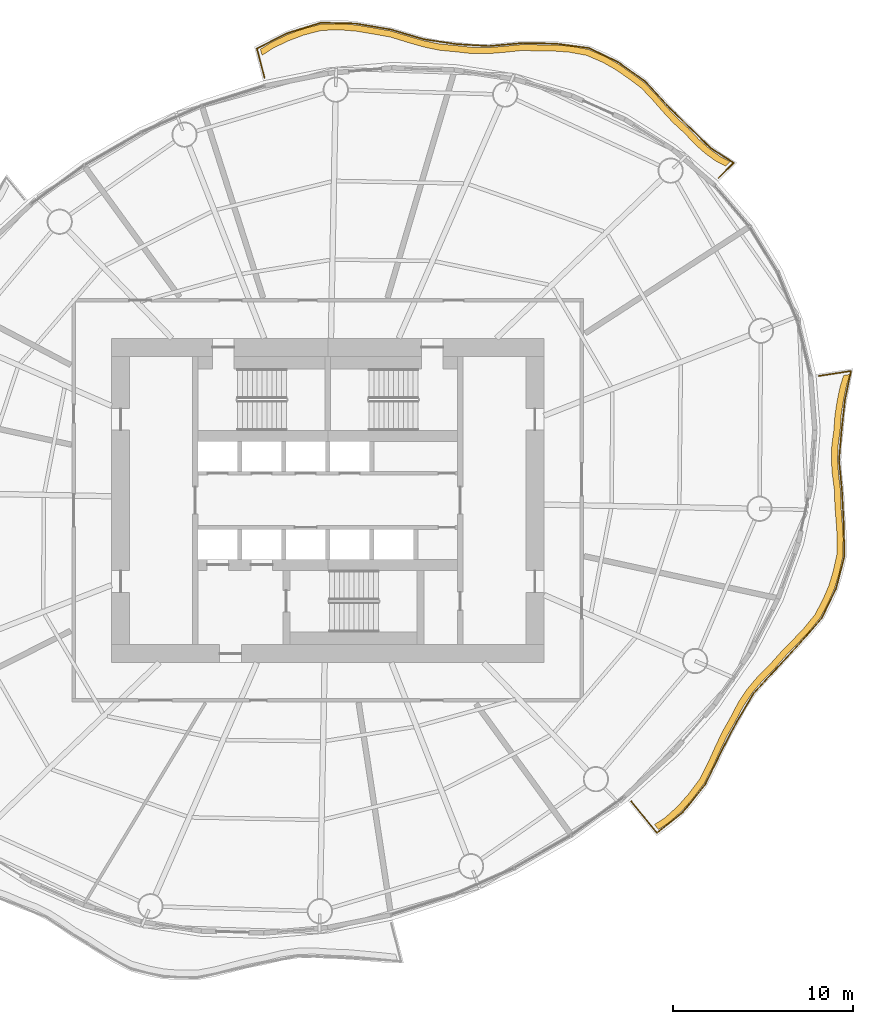
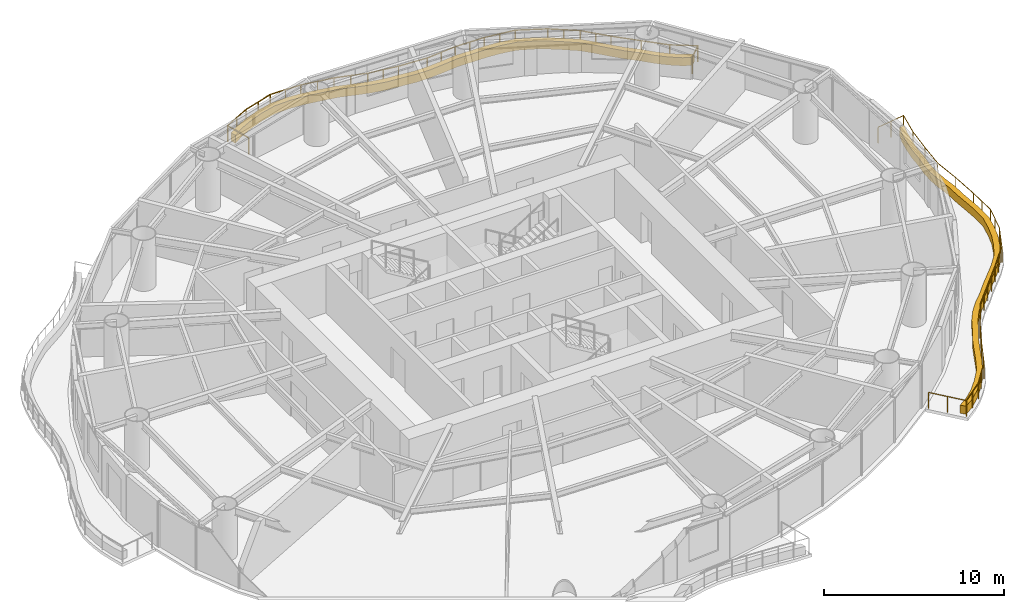
# One storey, part 14 of 14: 2 coverings, 2 railings.
"""IFC4 building model written with IfcOpenShell, lengths in metres."""

from ifc_helpers import new_model, si_unit, direction, frame, origin, origin_2d, place, context, subcontext, project, spatial, polyline, circle, outline, extrude, material, type_object, element, save


model = new_model("IFC4")

# Units and contexts
model_context = context("Model", 3, precision=1e-05, world=origin(), true_north=direction((0.0, 1.0)))
body_context = subcontext(model_context, "Body", "Model", "MODEL_VIEW")
ifc_project = project(units=[si_unit("LENGTHUNIT", "METRE"), si_unit("AREAUNIT", "SQUARE_METRE"), si_unit("VOLUMEUNIT", "CUBIC_METRE"), si_unit("PLANEANGLEUNIT", "RADIAN"), si_unit("MASSUNIT", "GRAM", prefix="KILO")], contexts=[model_context])

# Site, building, storey
site_placement = place(None, origin())
site = spatial("IfcSite", under=ifc_project, at=site_placement, CompositionType="ELEMENT")
building_placement = place(site_placement, origin())
building = spatial("IfcBuilding", under=site, at=building_placement, Name="Vermilion Reach Broadcast Tower", CompositionType="ELEMENT")
storey_placement = place(building_placement, frame((0.0, 0.0, 143.39990234375)))
storey = spatial("IfcBuildingStorey", under=building, at=storey_placement, Name="L33", CompositionType="ELEMENT", Elevation=143.39990234375)

# Coverings
ifc_material_1 = material(Name="Planting soil and greenery")
covering_type = type_object("IfcCoveringType", Name="Balcony PLANTER", PredefinedType="USERDEFINED", material=ifc_material_1)
placement = place(storey_placement, origin())
element("IfcCovering", 1, at=placement, inside=storey, type_object=covering_type, Name="PLANTER L33 group 1", ObjectType="PLANTER", PredefinedType="USERDEFINED", context=body_context, shape_type="SweptSolid", body=[
    extrude(outline(polyline([(16.332275390625, 18.798583984375), (15.8056640625, 19.0673828125), (15.172119140625, 19.522705078125), (14.59033203125, 20.0380859375), (13.993896484375, 20.669189453125), (13.333740234375, 21.27294921875), (12.774169921875, 21.874755859375), (12.228515625, 22.498779296875), (11.560546875, 23.19677734375), (10.771240234375, 23.776611328125), (10.08935546875, 24.245361328125), (9.3759765625, 24.643798828125), (8.477294921875, 25.0302734375), (7.489013671875, 25.212158203125), (6.637939453125, 25.27490234375), (5.77197265625, 25.286865234375), (4.79638671875, 25.306884765625), (3.805419921875, 25.20849609375), (2.927490234375, 25.138671875), (2.06103515625, 25.141357421875), (1.14501953125, 25.244140625), (0.205810546875, 25.33349609375), (-0.666015625, 25.513916015625), (-1.53564453125, 25.7646484375), (-2.506103515625, 26.05712890625), (-3.5224609375, 26.23779296875), (-4.43359375, 26.387939453125), (-5.338623046875, 26.46435546875), (-6.373046875, 26.4326171875), (-7.39013671875, 26.176513671875), (-8.252197265625, 25.84912109375), (-9.098876953125, 25.445556640625), (-9.7373046875, 25.041748046875), (-9.64990234375, 24.702880859375), (-9.030029296875, 25.1025390625), (-8.183349609375, 25.505859375), (-7.3212890625, 25.83349609375), (-6.32373046875, 26.086181640625), (-5.308837890625, 26.115478515625), (-4.404052734375, 26.0390625), (-3.49267578125, 25.888916015625), (-2.496826171875, 25.707275390625), (-1.546630859375, 25.414794921875), (-0.677001953125, 25.1640625), (0.19482421875, 24.983642578125), (1.112548828125, 24.8955078125), (2.00732421875, 24.79541015625), (2.873779296875, 24.79296875), (3.751708984375, 24.86279296875), (4.720703125, 24.965087890625), (5.67431640625, 24.95068359375), (6.54052734375, 24.93896484375), (7.3916015625, 24.8759765625), (8.357421875, 24.70166015625), (9.234130859375, 24.323974609375), (9.947265625, 23.925537109375), (10.629150390625, 23.45654296875), (11.396240234375, 22.8876953125), (12.04248046875, 22.2021484375), (12.58837890625, 21.578369140625), (13.147705078125, 20.9765625), (13.786376953125, 20.38720703125), (14.362548828125, 19.772216796875), (14.9443359375, 19.257080078125), (15.57763671875, 18.8017578125), (16.084716796875, 18.551513671875), (16.332275390625, 18.798583984375)])), origin(), (0.0, 0.0, 1.0), 0.550048828125),
])
element("IfcCovering", 2, at=placement, inside=storey, type_object=covering_type, Name="PLANTER L33 group 4", ObjectType="PLANTER", PredefinedType="USERDEFINED", context=body_context, shape_type="SweptSolid", body=[
    extrude(outline(polyline([(12.35009765625, -18.260986328125), (12.970458984375, -17.84765625), (13.64697265625, -17.23974609375), (14.251220703125, -16.552734375), (14.88330078125, -15.71630859375), (15.36376953125, -14.78662109375), (15.747802734375, -13.933837890625), (16.1455078125, -13.0927734375), (16.63134765625, -12.2373046875), (17.07568359375, -11.394775390625), (17.5625, -10.6650390625), (18.1318359375, -9.991943359375), (18.8193359375, -9.30126953125), (19.456787109375, -8.57568359375), (20.0810546875, -7.9345703125), (20.697509765625, -7.289306640625), (21.343017578125, -6.494384765625), (21.803466796875, -5.6181640625), (22.133544921875, -4.849853515625), (22.377197265625, -4.0498046875), (22.593505859375, -3.075927734375), (22.609619140625, -2.08935546875), (22.55322265625, -1.244384765625), (22.4853515625, -0.39697265625), (22.45751953125, 0.541748046875), (22.345458984375, 1.443603515625), (22.29296875, 2.2431640625), (22.319580078125, 3.037109375), (22.435546875, 3.906982421875), (22.494384765625, 4.7734375), (22.619384765625, 5.5625), (22.78271484375, 6.3544921875), (22.971435546875, 6.992919921875), (22.62548828125, 6.939453125), (22.433837890625, 6.327880859375), (22.2705078125, 5.535888671875), (22.1455078125, 4.746826171875), (22.08544921875, 3.90625), (21.970458984375, 3.0625), (21.94384765625, 2.2685546875), (21.99658203125, 1.468994140625), (22.111328125, 0.591796875), (22.1435546875, -0.322265625), (22.211181640625, -1.169677734375), (22.267578125, -2.0146484375), (22.25732421875, -2.978271484375), (22.04833984375, -3.9296875), (21.8046875, -4.729736328125), (21.474609375, -5.498046875), (21.022705078125, -6.353515625), (20.386962890625, -7.128173828125), (19.7705078125, -7.7734375), (19.14599609375, -8.41455078125), (18.51904296875, -9.12158203125), (17.843017578125, -9.7939453125), (17.273681640625, -10.467041015625), (16.786865234375, -11.197021484375), (16.354736328125, -12.02294921875), (15.8818359375, -12.86279296875), (15.484130859375, -13.70361328125), (15.10009765625, -14.556640625), (14.633056640625, -15.4716796875), (14.01513671875, -16.29443359375), (13.410888671875, -16.9814453125), (12.734375, -17.58935546875), (12.12841796875, -17.989990234375), (12.35009765625, -18.260986328125)])), origin(), (0.0, 0.0, 1.0), 0.550048828125),
])

# Railings
ifc_material_2 = material(Name="Stainless steel 316 balustrade", Category="steel")
railing_type = type_object("IfcRailingType", Name="Balcony guard 1100", PredefinedType="BALUSTRADE", material=ifc_material_2)
railing_1_placement = place(storey_placement, frame((15.680419921875, 17.894287109375, 0.0)))
element("IfcRailing", 3, at=railing_1_placement, inside=storey, type_object=railing_type, Name="Balcony guard L33 group 1", PredefinedType="BALUSTRADE", context=body_context, shape_type="SweptSolid", body=[
    extrude(circle(Radius=0.02490234375, at=origin_2d()), frame((0.0, 0.0, 1.0751953125), z_axis=(0.707719790621, 0.706493239857, 0.0), x_axis=(-0.706493239857, 0.707719790621, 0.0)), (0.0, 0.0, 1.0), 1.1943359375),
    extrude(circle(Radius=0.02490234375, at=origin_2d()), frame((0.84521484375, 0.84375, 1.0751953125), z_axis=(-0.83855143367, 0.544822441801, 0.0), x_axis=(-0.544822441801, -0.83855143367, 0.0)), (0.0, 0.0, 1.0), 1.5517578125),
    extrude(circle(Radius=0.02490234375, at=origin_2d()), frame((-0.4560546875, 1.689208984375, 1.0751953125), z_axis=(-0.717097632229, 0.696972729633, 0.0), x_axis=(-0.696972729633, -0.717097632229, 0.0)), (0.0, 0.0, 1.0), 1.64990234375),
    extrude(circle(Radius=0.02490234375, at=origin_2d()), frame((-1.63916015625, 2.839111328125, 1.0751953125), z_axis=(-0.711561197898, 0.702624125437, 0.0), x_axis=(-0.702624125437, -0.711561197898, 0.0)), (0.0, 0.0, 1.0), 1.720947265625),
    extrude(circle(Radius=0.02490234375, at=origin_2d()), frame((-2.86376953125, 4.04833984375, 1.0751953125), z_axis=(-0.676921361115, 0.736055344975, 0.0), x_axis=(-0.736055344975, -0.676921361115, 0.0)), (0.0, 0.0, 1.0), 1.800048828125),
    extrude(circle(Radius=0.02490234375, at=origin_2d()), frame((-4.082275390625, 5.373291015625, 1.0751953125), z_axis=(-0.814642733429, 0.57996311682, 0.0), x_axis=(-0.57996311682, -0.814642733429, 0.0)), (0.0, 0.0, 1.0), 1.812255859375),
    extrude(circle(Radius=0.02490234375, at=origin_2d()), frame((-5.55859375, 6.42431640625, 1.0751953125), z_axis=(-0.899181673596, 0.437575499622, 0.0), x_axis=(-0.437575499622, -0.899181673596, 0.0)), (0.0, 0.0, 1.0), 1.79833984375),
    extrude(circle(Radius=0.02490234375, at=origin_2d()), frame((-7.175537109375, 7.211181640625, 1.0751953125), z_axis=(-0.991201530268, 0.132361347808, 0.0), x_axis=(-0.132361347808, -0.991201530268, 0.0)), (0.0, 0.0, 1.0), 1.861083984375),
    extrude(circle(Radius=0.02490234375, at=origin_2d()), frame((-9.020263671875, 7.45751953125, 1.0751953125), z_axis=(-0.999838357965, 0.01797937547, 0.0), x_axis=(-0.01797937547, -0.999838357965, 0.0)), (0.0, 0.0, 1.0), 1.8466796875),
    extrude(circle(Radius=0.02490234375, at=origin_2d()), frame((-10.86669921875, 7.49072265625, 1.0751953125), z_axis=(-0.9960407839, -0.088897451071, 0.0), x_axis=(0.088897451071, -0.9960407839, 0.0)), (0.0, 0.0, 1.0), 1.88134765625),
    extrude(circle(Radius=0.02490234375, at=origin_2d()), frame((-12.740478515625, 7.323486328125, 1.0751953125), z_axis=(-0.998247946009, 0.059169572326, 0.0), x_axis=(-0.059169572326, -0.998247946009, 0.0)), (0.0, 0.0, 1.0), 1.790771484375),
    extrude(circle(Radius=0.02490234375, at=origin_2d()), frame((-14.528076171875, 7.429443359375, 1.0751953125), z_axis=(-0.989121902948, 0.147098134283, 0.0), x_axis=(-0.147098134283, -0.989121902948, 0.0)), (0.0, 0.0, 1.0), 1.835693359375),
    extrude(circle(Radius=0.02490234375, at=origin_2d()), frame((-16.34375, 7.699462890625, 1.0751953125), z_axis=(-0.959250209605, 0.282558021249, 0.0), x_axis=(-0.282558021249, -0.959250209605, 0.0)), (0.0, 0.0, 1.0), 1.92333984375),
    extrude(circle(Radius=0.02490234375, at=origin_2d()), frame((-18.188720703125, 8.242919921875, 1.0751953125), z_axis=(-0.985698603305, 0.168517843097, 0.0), x_axis=(-0.168517843097, -0.985698603305, 0.0)), (0.0, 0.0, 1.0), 1.960205078125),
    extrude(circle(Radius=0.02490234375, at=origin_2d()), frame((-20.120849609375, 8.5732421875, 1.0751953125), z_axis=(-0.999738845039, 0.022852608616, 0.0), x_axis=(-0.022852608616, -0.999738845039, 0.0)), (0.0, 0.0, 1.0), 1.9443359375),
    extrude(circle(Radius=0.02490234375, at=origin_2d()), frame((-22.064697265625, 8.61767578125, 1.0751953125), z_axis=(-0.955075011829, -0.296364170877, 0.0), x_axis=(0.296364170877, -0.955075011829, 0.0)), (0.0, 0.0, 1.0), 1.97216796875),
    extrude(circle(Radius=0.02490234375, at=origin_2d()), frame((-23.9482421875, 8.033203125, 1.0751953125), z_axis=(-0.892167162243, -0.451705384753, 0.0), x_axis=(0.451705384753, -0.892167162243, 0.0)), (0.0, 0.0, 1.0), 1.867431640625),
    extrude(circle(Radius=0.02490234375, at=origin_2d()), frame((-25.6142578125, 7.189697265625, 1.0751953125), z_axis=(0.250014218511, -0.968242165237, 0.0), x_axis=(0.968242165237, 0.250014218511, 0.0)), (0.0, 0.0, 1.0), 1.6806640625),
    extrude(circle(Radius=0.02490234375, at=origin_2d()), origin(), (0.0, 0.0, 1.0), 1.050048828125),
    extrude(circle(Radius=0.02490234375, at=origin_2d()), frame((0.84521484375, 0.84375, 0.0)), (0.0, 0.0, 1.0), 1.050048828125),
    extrude(circle(Radius=0.02490234375, at=origin_2d()), frame((-0.4560546875, 1.689208984375, 0.0)), (0.0, 0.0, 1.0), 1.050048828125),
    extrude(circle(Radius=0.02490234375, at=origin_2d()), frame((-1.63916015625, 2.839111328125, 0.0)), (0.0, 0.0, 1.0), 1.050048828125),
    extrude(circle(Radius=0.02490234375, at=origin_2d()), frame((-2.86376953125, 4.04833984375, 0.0)), (0.0, 0.0, 1.0), 1.050048828125),
    extrude(circle(Radius=0.02490234375, at=origin_2d()), frame((-3.47314453125, 4.7109375, 0.0)), (0.0, 0.0, 1.0), 1.050048828125),
    extrude(circle(Radius=0.02490234375, at=origin_2d()), frame((-4.082275390625, 5.373291015625, 0.0)), (0.0, 0.0, 1.0), 1.050048828125),
    extrude(circle(Radius=0.02490234375, at=origin_2d()), frame((-4.8203125, 5.89892578125, 0.0)), (0.0, 0.0, 1.0), 1.050048828125),
    extrude(circle(Radius=0.02490234375, at=origin_2d()), frame((-5.55859375, 6.42431640625, 0.0)), (0.0, 0.0, 1.0), 1.050048828125),
    extrude(circle(Radius=0.02490234375, at=origin_2d()), frame((-7.175537109375, 7.211181640625, 0.0)), (0.0, 0.0, 1.0), 1.050048828125),
    extrude(circle(Radius=0.02490234375, at=origin_2d()), frame((-8.097900390625, 7.33447265625, 0.0)), (0.0, 0.0, 1.0), 1.050048828125),
    extrude(circle(Radius=0.02490234375, at=origin_2d()), frame((-9.020263671875, 7.45751953125, 0.0)), (0.0, 0.0, 1.0), 1.050048828125),
    extrude(circle(Radius=0.02490234375, at=origin_2d()), frame((-9.943359375, 7.47412109375, 0.0)), (0.0, 0.0, 1.0), 1.050048828125),
    extrude(circle(Radius=0.02490234375, at=origin_2d()), frame((-10.86669921875, 7.49072265625, 0.0)), (0.0, 0.0, 1.0), 1.050048828125),
    extrude(circle(Radius=0.02490234375, at=origin_2d()), frame((-11.8037109375, 7.4072265625, 0.0)), (0.0, 0.0, 1.0), 1.050048828125),
    extrude(circle(Radius=0.02490234375, at=origin_2d()), frame((-12.740478515625, 7.323486328125, 0.0)), (0.0, 0.0, 1.0), 1.050048828125),
    extrude(circle(Radius=0.02490234375, at=origin_2d()), frame((-14.528076171875, 7.429443359375, 0.0)), (0.0, 0.0, 1.0), 1.050048828125),
    extrude(circle(Radius=0.02490234375, at=origin_2d()), frame((-15.43603515625, 7.564453125, 0.0)), (0.0, 0.0, 1.0), 1.050048828125),
    extrude(circle(Radius=0.02490234375, at=origin_2d()), frame((-16.34375, 7.699462890625, 0.0)), (0.0, 0.0, 1.0), 1.050048828125),
    extrude(circle(Radius=0.02490234375, at=origin_2d()), frame((-17.26611328125, 7.97119140625, 0.0)), (0.0, 0.0, 1.0), 1.050048828125),
    extrude(circle(Radius=0.02490234375, at=origin_2d()), frame((-18.188720703125, 8.242919921875, 0.0)), (0.0, 0.0, 1.0), 1.050048828125),
    extrude(circle(Radius=0.02490234375, at=origin_2d()), frame((-19.15478515625, 8.408203125, 0.0)), (0.0, 0.0, 1.0), 1.050048828125),
    extrude(circle(Radius=0.02490234375, at=origin_2d()), frame((-20.120849609375, 8.5732421875, 0.0)), (0.0, 0.0, 1.0), 1.050048828125),
    extrude(circle(Radius=0.02490234375, at=origin_2d()), frame((-21.0927734375, 8.595458984375, 0.0)), (0.0, 0.0, 1.0), 1.050048828125),
    extrude(circle(Radius=0.02490234375, at=origin_2d()), frame((-22.064697265625, 8.61767578125, 0.0)), (0.0, 0.0, 1.0), 1.050048828125),
    extrude(circle(Radius=0.02490234375, at=origin_2d()), frame((-23.00634765625, 8.325439453125, 0.0)), (0.0, 0.0, 1.0), 1.050048828125),
    extrude(circle(Radius=0.02490234375, at=origin_2d()), frame((-23.9482421875, 8.033203125, 0.0)), (0.0, 0.0, 1.0), 1.050048828125),
    extrude(circle(Radius=0.02490234375, at=origin_2d()), frame((-24.78125, 7.611328125, 0.0)), (0.0, 0.0, 1.0), 1.050048828125),
    extrude(circle(Radius=0.02490234375, at=origin_2d()), frame((-25.6142578125, 7.189697265625, 0.0)), (0.0, 0.0, 1.0), 1.050048828125),
    extrude(circle(Radius=0.02490234375, at=origin_2d()), frame((-25.194091796875, 5.5625, 0.0)), (0.0, 0.0, 1.0), 1.050048828125),
])
railing_2_placement = place(storey_placement, frame((10.841796875, -16.700927734375, 0.0)))
element("IfcRailing", 4, at=railing_2_placement, inside=storey, type_object=railing_type, Name="Balcony guard L33 group 4", PredefinedType="BALUSTRADE", context=body_context, shape_type="SweptSolid", body=[
    extrude(circle(Radius=0.02490234375, at=origin_2d()), frame((0.0, 0.0, 1.0751953125), z_axis=(0.63313153634, -0.774044222052, 0.0), x_axis=(0.774044222052, 0.63313153634, 0.0)), (0.0, 0.0, 1.0), 2.25244140625),
    extrude(circle(Radius=0.02490234375, at=origin_2d()), frame((1.426025390625, -1.743408203125, 1.0751953125), z_axis=(0.781128393263, 0.624370429504, 0.0), x_axis=(-0.624370429504, 0.781128393263, 0.0)), (0.0, 0.0, 1.0), 1.834716796875),
    extrude(circle(Radius=0.02490234375, at=origin_2d()), frame((2.859130859375, -0.597900390625, 1.0751953125), z_axis=(0.630326169623, 0.776330419273, 0.0), x_axis=(-0.776330419273, 0.630326169623, 0.0)), (0.0, 0.0, 1.0), 1.966552734375),
    extrude(circle(Radius=0.02490234375, at=origin_2d()), frame((4.0986328125, 0.9287109375, 1.0751953125), z_axis=(0.437003449658, 0.899459829557, 0.0), x_axis=(-0.899459829557, 0.437003449658, 0.0)), (0.0, 0.0, 1.0), 1.985595703125),
    extrude(circle(Radius=0.02490234375, at=origin_2d()), frame((4.96630859375, 2.714599609375, 1.0751953125), z_axis=(0.462378862283, 0.886682461603, 0.0), x_axis=(-0.886682461603, 0.462378862283, 0.0)), (0.0, 0.0, 1.0), 1.917236328125),
    extrude(circle(Radius=0.02490234375, at=origin_2d()), frame((5.852783203125, 4.41455078125, 1.0751953125), z_axis=(0.509725678289, 0.860336987983, 0.0), x_axis=(-0.860336987983, 0.509725678289, 0.0)), (0.0, 0.0, 1.0), 1.83203125),
    extrude(circle(Radius=0.02490234375, at=origin_2d()), frame((6.78662109375, 5.99072265625, 1.0751953125), z_axis=(0.677423406527, 0.735593317186, 0.0), x_axis=(-0.735593317186, 0.677423406527, 0.0)), (0.0, 0.0, 1.0), 1.859375),
    extrude(circle(Radius=0.02490234375, at=origin_2d()), frame((8.046142578125, 7.3583984375, 1.0751953125), z_axis=(0.677855889103, 0.735194799769, 0.0), x_axis=(-0.735194799769, 0.677855889103, 0.0)), (0.0, 0.0, 1.0), 1.864990234375),
    extrude(circle(Radius=0.02490234375, at=origin_2d()), frame((9.310302734375, 8.7294921875, 1.0751953125), z_axis=(0.658486601299, 0.752592450075, 0.0), x_axis=(-0.752592450075, 0.658486601299, 0.0)), (0.0, 0.0, 1.0), 1.919677734375),
    extrude(circle(Radius=0.02490234375, at=origin_2d()), frame((10.574462890625, 10.17431640625, 1.0751953125), z_axis=(0.432960945357, 0.901412680072, 0.0), x_axis=(-0.901412680072, 0.432960945357, 0.0)), (0.0, 0.0, 1.0), 1.829833984375),
    extrude(circle(Radius=0.02490234375, at=origin_2d()), frame((11.36669921875, 11.82373046875, 1.0751953125), z_axis=(0.251215722669, 0.967931123936, 0.0), x_axis=(-0.967931123936, 0.251215722669, 0.0)), (0.0, 0.0, 1.0), 1.837646484375),
    extrude(circle(Radius=0.02490234375, at=origin_2d()), frame((11.828369140625, 13.6025390625, 1.0751953125), z_axis=(-0.021127659355, 0.999776786093, 0.0), x_axis=(-0.999776786093, -0.021127659355, 0.0)), (0.0, 0.0, 1.0), 1.83740234375),
    extrude(circle(Radius=0.02490234375, at=origin_2d()), frame((11.78955078125, 15.439453125, 1.0751953125), z_axis=(-0.05265881748, 0.998612561979, 0.0), x_axis=(-0.998612561979, -0.05265881748, 0.0)), (0.0, 0.0, 1.0), 1.794189453125),
    extrude(circle(Radius=0.02490234375, at=origin_2d()), frame((11.695068359375, 17.231201171875, 1.0751953125), z_axis=(-0.095669003352, 0.995413201539, 0.0), x_axis=(-0.995413201539, -0.095669003352, 0.0)), (0.0, 0.0, 1.0), 1.71484375),
    extrude(circle(Radius=0.02490234375, at=origin_2d()), frame((11.531005859375, 18.938232421875, 1.0751953125), z_axis=(0.085070607655, 0.996374925273, 0.0), x_axis=(-0.996374925273, 0.085070607655, 0.0)), (0.0, 0.0, 1.0), 1.676025390625),
    extrude(circle(Radius=0.02490234375, at=origin_2d()), frame((11.673583984375, 20.608154296875, 1.0751953125), z_axis=(0.10998264966, 0.99393350722, 0.0), x_axis=(-0.99393350722, 0.10998264966, 0.0)), (0.0, 0.0, 1.0), 1.671630859375),
    extrude(circle(Radius=0.02490234375, at=origin_2d()), frame((11.857421875, 22.26953125, 1.0751953125), z_axis=(0.204355773014, 0.978896684046, 0.0), x_axis=(-0.978896684046, 0.204355773014, 0.0)), (0.0, 0.0, 1.0), 1.651123046875),
    extrude(circle(Radius=0.02490234375, at=origin_2d()), frame((12.19482421875, 23.8857421875, 1.0751953125), z_axis=(-0.988194699727, -0.153203248762, 0.0), x_axis=(0.153203248762, -0.988194699727, 0.0)), (0.0, 0.0, 1.0), 1.80859375),
    extrude(circle(Radius=0.02490234375, at=origin_2d()), origin(), (0.0, 0.0, 1.0), 1.050048828125),
    extrude(circle(Radius=0.02490234375, at=origin_2d()), frame((0.712890625, -0.87158203125, 0.0)), (0.0, 0.0, 1.0), 1.050048828125),
    extrude(circle(Radius=0.02490234375, at=origin_2d()), frame((1.426025390625, -1.743408203125, 0.0)), (0.0, 0.0, 1.0), 1.050048828125),
    extrude(circle(Radius=0.02490234375, at=origin_2d()), frame((2.142578125, -1.170654296875, 0.0)), (0.0, 0.0, 1.0), 1.050048828125),
    extrude(circle(Radius=0.02490234375, at=origin_2d()), frame((2.859130859375, -0.597900390625, 0.0)), (0.0, 0.0, 1.0), 1.050048828125),
    extrude(circle(Radius=0.02490234375, at=origin_2d()), frame((3.47900390625, 0.16552734375, 0.0)), (0.0, 0.0, 1.0), 1.050048828125),
    extrude(circle(Radius=0.02490234375, at=origin_2d()), frame((4.0986328125, 0.9287109375, 0.0)), (0.0, 0.0, 1.0), 1.050048828125),
    extrude(circle(Radius=0.02490234375, at=origin_2d()), frame((4.532470703125, 1.82177734375, 0.0)), (0.0, 0.0, 1.0), 1.050048828125),
    extrude(circle(Radius=0.02490234375, at=origin_2d()), frame((4.96630859375, 2.714599609375, 0.0)), (0.0, 0.0, 1.0), 1.050048828125),
    extrude(circle(Radius=0.02490234375, at=origin_2d()), frame((5.40966796875, 3.564453125, 0.0)), (0.0, 0.0, 1.0), 1.050048828125),
    extrude(circle(Radius=0.02490234375, at=origin_2d()), frame((5.852783203125, 4.41455078125, 0.0)), (0.0, 0.0, 1.0), 1.050048828125),
    extrude(circle(Radius=0.02490234375, at=origin_2d()), frame((6.31982421875, 5.20263671875, 0.0)), (0.0, 0.0, 1.0), 1.050048828125),
    extrude(circle(Radius=0.02490234375, at=origin_2d()), frame((6.78662109375, 5.99072265625, 0.0)), (0.0, 0.0, 1.0), 1.050048828125),
    extrude(circle(Radius=0.02490234375, at=origin_2d()), frame((7.41650390625, 6.674560546875, 0.0)), (0.0, 0.0, 1.0), 1.050048828125),
    extrude(circle(Radius=0.02490234375, at=origin_2d()), frame((8.046142578125, 7.3583984375, 0.0)), (0.0, 0.0, 1.0), 1.050048828125),
    extrude(circle(Radius=0.02490234375, at=origin_2d()), frame((8.67822265625, 8.0439453125, 0.0)), (0.0, 0.0, 1.0), 1.050048828125),
    extrude(circle(Radius=0.02490234375, at=origin_2d()), frame((9.310302734375, 8.7294921875, 0.0)), (0.0, 0.0, 1.0), 1.050048828125),
    extrude(circle(Radius=0.02490234375, at=origin_2d()), frame((9.9423828125, 9.451904296875, 0.0)), (0.0, 0.0, 1.0), 1.050048828125),
    extrude(circle(Radius=0.02490234375, at=origin_2d()), frame((10.574462890625, 10.17431640625, 0.0)), (0.0, 0.0, 1.0), 1.050048828125),
    extrude(circle(Radius=0.02490234375, at=origin_2d()), frame((10.970703125, 10.9990234375, 0.0)), (0.0, 0.0, 1.0), 1.050048828125),
    extrude(circle(Radius=0.02490234375, at=origin_2d()), frame((11.36669921875, 11.82373046875, 0.0)), (0.0, 0.0, 1.0), 1.050048828125),
    extrude(circle(Radius=0.02490234375, at=origin_2d()), frame((11.59765625, 12.713134765625, 0.0)), (0.0, 0.0, 1.0), 1.050048828125),
    extrude(circle(Radius=0.02490234375, at=origin_2d()), frame((11.828369140625, 13.6025390625, 0.0)), (0.0, 0.0, 1.0), 1.050048828125),
    extrude(circle(Radius=0.02490234375, at=origin_2d()), frame((11.80908203125, 14.52099609375, 0.0)), (0.0, 0.0, 1.0), 1.050048828125),
    extrude(circle(Radius=0.02490234375, at=origin_2d()), frame((11.78955078125, 15.439453125, 0.0)), (0.0, 0.0, 1.0), 1.050048828125),
    extrude(circle(Radius=0.02490234375, at=origin_2d()), frame((11.695068359375, 17.231201171875, 0.0)), (0.0, 0.0, 1.0), 1.050048828125),
    extrude(circle(Radius=0.02490234375, at=origin_2d()), frame((11.531005859375, 18.938232421875, 0.0)), (0.0, 0.0, 1.0), 1.050048828125),
    extrude(circle(Radius=0.02490234375, at=origin_2d()), frame((11.673583984375, 20.608154296875, 0.0)), (0.0, 0.0, 1.0), 1.050048828125),
    extrude(circle(Radius=0.02490234375, at=origin_2d()), frame((11.857421875, 22.26953125, 0.0)), (0.0, 0.0, 1.0), 1.050048828125),
    extrude(circle(Radius=0.02490234375, at=origin_2d()), frame((12.19482421875, 23.8857421875, 0.0)), (0.0, 0.0, 1.0), 1.050048828125),
    extrude(circle(Radius=0.02490234375, at=origin_2d()), frame((11.30126953125, 23.7470703125, 0.0)), (0.0, 0.0, 1.0), 1.050048828125),
    extrude(circle(Radius=0.02490234375, at=origin_2d()), frame((10.407470703125, 23.608642578125, 0.0)), (0.0, 0.0, 1.0), 1.050048828125),
])

save(model, "model.ifc")
